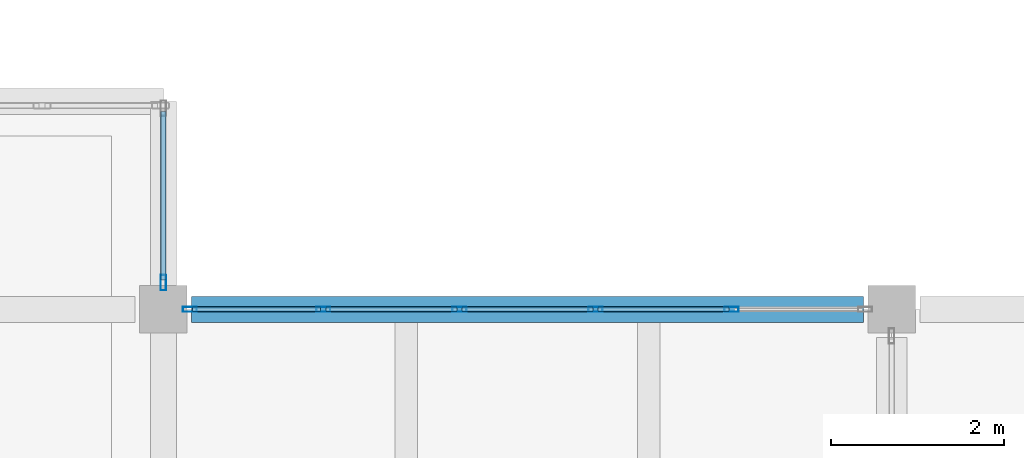
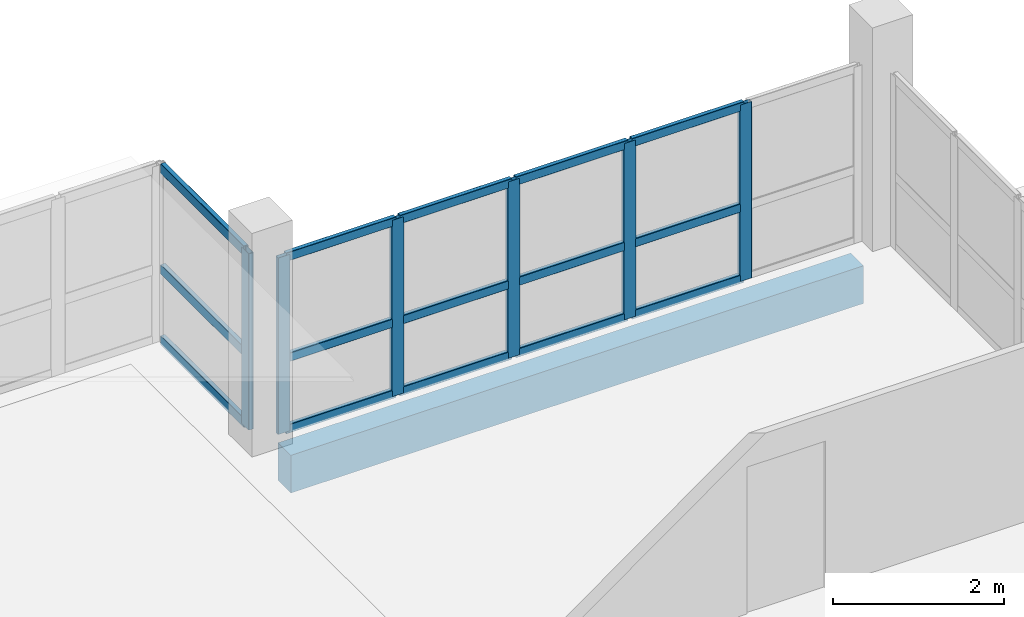
# One storey, part 12 of 24: 21 members, 1 beam, 2 elements without a shape of their own.
"""IFC4 building model written with IfcOpenShell, lengths in metres."""

from ifc_helpers import new_model, si_unit, direction, frame, origin, origin_2d, place, context, subcontext, project, spatial, rectangle, hollow_rectangle, extrude, material, layer, layer_set, material_profile, profile_set, type_object, element, aggregate, save


model = new_model("IFC4")

# Units and contexts
model_context = context("Model", 3, precision=1e-05, world=origin(), true_north=direction((0.0, 1.0)))
body_context = subcontext(model_context, "Body", "Model", "MODEL_VIEW")
ifc_project = project(units=[si_unit("LENGTHUNIT", "METRE"), si_unit("AREAUNIT", "SQUARE_METRE"), si_unit("VOLUMEUNIT", "CUBIC_METRE"), si_unit("PLANEANGLEUNIT", "RADIAN"), si_unit("MASSUNIT", "GRAM", prefix="KILO"), si_unit("THERMODYNAMICTEMPERATUREUNIT", "KELVIN"), si_unit("POWERUNIT", "WATT")], contexts=[model_context])

# Site, building, storey
site_placement = place(None, origin())
site = spatial("IfcSite", under=ifc_project, at=site_placement, CompositionType="ELEMENT")
building_placement = place(site_placement, origin())
building = spatial("IfcBuilding", under=site, at=building_placement, Name="Mavoryth Pier Ferry Terminal", CompositionType="ELEMENT")
storey_placement = place(building_placement, frame((0.0, 0.0, 16.320068359375)))
storey = spatial("IfcBuildingStorey", under=building, at=storey_placement, Name="L04", CompositionType="ELEMENT", Elevation=16.320068359375)

# Curtain wall, members
ifc_material_1 = material(Name="Anodised Aluminium and Solar-Control Low-E Glass", Category="aluminium")
ifc_layer = layer(ifc_material_1, 0.260009765625, Name="Anodised Aluminium and Solar-Control Low-E Glass", Category="aluminium")
ifc_layer_set = layer_set([ifc_layer], Name="Anodised Aluminium and Solar-Control Low-E Glass - CW-VTSBridge-Mod1500")
curtain_wall_type = type_object("IfcCurtainWallType", Name="CW-VTSBridge-Mod1500", PredefinedType="USERDEFINED", material=ifc_layer_set)
curtain_wall_1_placement = place(storey_placement, origin())
curtain_wall_1 = element("IfcCurtainWall", 1, at=curtain_wall_1_placement, inside=storey, type_object=curtain_wall_type, Name="Curtain Wall CW-0422-156", ObjectType="UNITISED CURTAIN WALL", PredefinedType="USERDEFINED")
ifc_material_2 = material(Name="Anodised Aluminium EN AW-6063", Category="aluminium")
ifc_material_profile_1 = material_profile(ifc_material_2, hollow_rectangle(XDim=0.06005859375, YDim=0.1650390625, WallThickness=0.00390625, InnerFilletRadius=0.00390625, OuterFilletRadius=0.008056640625, at=origin_2d()), Name="AL-MULL 165x60x4", Category="aluminium")
ifc_profile_set_1 = profile_set([ifc_material_profile_1], Name="Anodised Aluminium EN AW-6063 - AL-MULL 165x60x4")
member_type_1 = type_object("IfcMemberType", Name="Mullion-Alum-165x60", PredefinedType="MULLION", material=ifc_profile_set_1)
member_1_placement = place(storey_placement, frame((73.7548828125, 22.0, 0.0), z_axis=(0.0, 0.0, 1.0), x_axis=(0.0, -1.0, 0.0)))
member_1 = element("IfcMember", 2, at=member_1_placement, type_object=member_type_1, Name="CW07 mullion 2", PredefinedType="MULLION", context=body_context, shape_type="SweptSolid", body=[
    extrude(hollow_rectangle(XDim=0.06005859375, YDim=0.1650390625, WallThickness=0.00390625, InnerFilletRadius=0.00390625, OuterFilletRadius=0.008056640625, at=origin_2d()), origin(), (0.0, 0.0, 1.0), 2.52490234375),
])
member_2_placement = place(storey_placement, frame((72.18505859375, 22.0, 0.0), z_axis=(0.0, 0.0, 1.0), x_axis=(0.0, -1.0, 0.0)))
member_2 = element("IfcMember", 3, at=member_2_placement, type_object=member_type_1, Name="CW07 mullion 3", PredefinedType="MULLION", context=body_context, shape_type="SweptSolid", body=[
    extrude(hollow_rectangle(XDim=0.06005859375, YDim=0.1650390625, WallThickness=0.00390625, InnerFilletRadius=0.00390625, OuterFilletRadius=0.008056640625, at=origin_2d()), origin(), (0.0, 0.0, 1.0), 2.52490234375),
])
member_3_placement = place(storey_placement, frame((70.614990234375, 22.0, 0.0), z_axis=(0.0, 0.0, 1.0), x_axis=(0.0, -1.0, 0.0)))
member_3 = element("IfcMember", 4, at=member_3_placement, type_object=member_type_1, Name="CW07 mullion 4", PredefinedType="MULLION", context=body_context, shape_type="SweptSolid", body=[
    extrude(hollow_rectangle(XDim=0.06005859375, YDim=0.1650390625, WallThickness=0.00390625, InnerFilletRadius=0.00390625, OuterFilletRadius=0.008056640625, at=origin_2d()), origin(), (0.0, 0.0, 1.0), 2.52490234375),
])
member_4_placement = place(storey_placement, frame((69.044921875, 22.0, 0.0), z_axis=(0.0, 0.0, 1.0), x_axis=(0.0, -1.0, 0.0)))
member_4 = element("IfcMember", 5, at=member_4_placement, type_object=member_type_1, Name="CW07 mullion 5", PredefinedType="MULLION", context=body_context, shape_type="SweptSolid", body=[
    extrude(hollow_rectangle(XDim=0.06005859375, YDim=0.1650390625, WallThickness=0.00390625, InnerFilletRadius=0.00390625, OuterFilletRadius=0.008056640625, at=origin_2d()), origin(), (0.0, 0.0, 1.0), 2.52490234375),
])
member_5_placement = place(storey_placement, frame((67.5048828125, 22.0, 0.0), z_axis=(0.0, 0.0, 1.0), x_axis=(0.0, -1.0, 0.0)))
member_5 = element("IfcMember", 6, at=member_5_placement, type_object=member_type_1, Name="CW07 mullion 6", PredefinedType="MULLION", context=body_context, shape_type="SweptSolid", body=[
    extrude(hollow_rectangle(XDim=0.06005859375, YDim=0.1650390625, WallThickness=0.00390625, InnerFilletRadius=0.00390625, OuterFilletRadius=0.008056640625, at=origin_2d()), origin(), (0.0, 0.0, 1.0), 2.52490234375),
])

# Curtain wall, member
curtain_wall_2_placement = place(storey_placement, origin())
curtain_wall_2 = element("IfcCurtainWall", 7, at=curtain_wall_2_placement, inside=storey, type_object=curtain_wall_type, Name="Curtain Wall CW-0433-158", ObjectType="UNITISED CURTAIN WALL", PredefinedType="USERDEFINED")
ifc_material_profile_2 = material_profile(ifc_material_2, hollow_rectangle(XDim=0.06494140625, YDim=0.179931640625, WallThickness=0.00390625, InnerFilletRadius=0.00390625, OuterFilletRadius=0.008056640625, at=origin_2d()), Name="AL-MULL 180x65x4", Category="aluminium")
ifc_profile_set_2 = profile_set([ifc_material_profile_2], Name="Anodised Aluminium EN AW-6063 - AL-MULL 180x65x4")
member_type_2 = type_object("IfcMemberType", Name="Mullion-Alum-180x65", PredefinedType="MULLION", material=ifc_profile_set_2)
member_6_placement = place(storey_placement, frame((67.199951171875, 22.3076171875, 0.0), z_axis=(0.0, 0.0, 1.0), x_axis=(-1.0, 0.0, 0.0)))
member_6 = element("IfcMember", 8, at=member_6_placement, type_object=member_type_2, Name="CW07 mullion 1", PredefinedType="MULLION", context=body_context, shape_type="SweptSolid", body=[
    extrude(hollow_rectangle(XDim=0.06494140625, YDim=0.179931640625, WallThickness=0.00390625, InnerFilletRadius=0.00390625, OuterFilletRadius=0.008056640625, at=origin_2d()), origin(), (0.0, 0.0, 1.0), 2.52490234375),
])

# Beam
ifc_material_3 = material(Name="Concrete C35/45", Category="concrete")
ifc_material_profile_3 = material_profile(ifc_material_3, rectangle(XDim=0.300048828125, YDim=0.5400390625, at=origin_2d()), Name="RC 300x540", Category="concrete")
ifc_profile_set_3 = profile_set([ifc_material_profile_3], Name="Concrete C35/45 - RC 300x540")
beam_type = type_object("IfcBeamType", Name="Spandrel-RC-300x540", PredefinedType="SPANDREL", material=ifc_profile_set_3)
beam_placement = place(storey_placement, frame((67.52490234375, 22.0, -0.530029296875), z_axis=(1.0, 0.0, 0.0), x_axis=(0.0, 1.0, 0.0)))
element("IfcBeam", 9, at=beam_placement, inside=storey, type_object=beam_type, Name="Beam B04-SP02-1475", PredefinedType="SPANDREL", context=body_context, shape_type="SweptSolid", body=[
    extrude(rectangle(XDim=0.300048828125, YDim=0.5400390625, at=origin_2d()), origin(), (0.0, 0.0, 1.0), 7.75),
])

# Member
ifc_material_profile_4 = material_profile(ifc_material_2, hollow_rectangle(XDim=0.06005859375, YDim=0.125, WallThickness=0.00390625, InnerFilletRadius=0.00390625, OuterFilletRadius=0.008056640625, at=origin_2d()), Name="AL-TRAN 125x60x4", Category="aluminium")
ifc_profile_set_4 = profile_set([ifc_material_profile_4], Name="Anodised Aluminium EN AW-6063 - AL-TRAN 125x60x4")
member_type_3 = type_object("IfcMemberType", Name="Transom-Alum-125x60", PredefinedType="USERDEFINED", material=ifc_profile_set_4)
member_7_placement = place(storey_placement, frame((73.72509765625, 22.0, 0.030029296875), z_axis=(-1.0, 0.0, 0.0), x_axis=(0.0, -1.0, 0.0)))
member_7 = element("IfcMember", 10, at=member_7_placement, type_object=member_type_3, Name="CW07 transom 2.1", ObjectType="TRANSOM", PredefinedType="USERDEFINED", context=body_context, shape_type="SweptSolid", body=[
    extrude(hollow_rectangle(XDim=0.06005859375, YDim=0.125, WallThickness=0.00390625, InnerFilletRadius=0.00390625, OuterFilletRadius=0.008056640625, at=origin_2d()), origin(), (0.0, 0.0, 1.0), 1.510009765625),
])

member_8_placement = place(storey_placement, frame((73.72509765625, 22.0, 1.050048828125), z_axis=(-1.0, 0.0, 0.0), x_axis=(0.0, -1.0, 0.0)))
member_8 = element("IfcMember", 11, at=member_8_placement, type_object=member_type_3, Name="CW07 transom 2.2", ObjectType="TRANSOM", PredefinedType="USERDEFINED", context=body_context, shape_type="SweptSolid", body=[
    extrude(hollow_rectangle(XDim=0.06005859375, YDim=0.125, WallThickness=0.00390625, InnerFilletRadius=0.00390625, OuterFilletRadius=0.008056640625, at=origin_2d()), origin(), (0.0, 0.0, 1.0), 1.510009765625),
])

member_9_placement = place(storey_placement, frame((73.72509765625, 22.0, 2.494873046875), z_axis=(-1.0, 0.0, 0.0), x_axis=(0.0, -1.0, 0.0)))
member_9 = element("IfcMember", 12, at=member_9_placement, type_object=member_type_3, Name="CW07 transom 2.3", ObjectType="TRANSOM", PredefinedType="USERDEFINED", context=body_context, shape_type="SweptSolid", body=[
    extrude(hollow_rectangle(XDim=0.06005859375, YDim=0.125, WallThickness=0.00390625, InnerFilletRadius=0.00390625, OuterFilletRadius=0.008056640625, at=origin_2d()), origin(), (0.0, 0.0, 1.0), 1.510009765625),
])

member_10_placement = place(storey_placement, frame((72.155029296875, 22.0, 0.030029296875), z_axis=(-1.0, 0.0, 0.0), x_axis=(0.0, -1.0, 0.0)))
member_10 = element("IfcMember", 13, at=member_10_placement, type_object=member_type_3, Name="CW07 transom 3.1", ObjectType="TRANSOM", PredefinedType="USERDEFINED", context=body_context, shape_type="SweptSolid", body=[
    extrude(hollow_rectangle(XDim=0.06005859375, YDim=0.125, WallThickness=0.00390625, InnerFilletRadius=0.00390625, OuterFilletRadius=0.008056640625, at=origin_2d()), origin(), (0.0, 0.0, 1.0), 1.510009765625),
])

member_11_placement = place(storey_placement, frame((72.155029296875, 22.0, 1.050048828125), z_axis=(-1.0, 0.0, 0.0), x_axis=(0.0, -1.0, 0.0)))
member_11 = element("IfcMember", 14, at=member_11_placement, type_object=member_type_3, Name="CW07 transom 3.2", ObjectType="TRANSOM", PredefinedType="USERDEFINED", context=body_context, shape_type="SweptSolid", body=[
    extrude(hollow_rectangle(XDim=0.06005859375, YDim=0.125, WallThickness=0.00390625, InnerFilletRadius=0.00390625, OuterFilletRadius=0.008056640625, at=origin_2d()), origin(), (0.0, 0.0, 1.0), 1.510009765625),
])

member_12_placement = place(storey_placement, frame((72.155029296875, 22.0, 2.494873046875), z_axis=(-1.0, 0.0, 0.0), x_axis=(0.0, -1.0, 0.0)))
member_12 = element("IfcMember", 15, at=member_12_placement, type_object=member_type_3, Name="CW07 transom 3.3", ObjectType="TRANSOM", PredefinedType="USERDEFINED", context=body_context, shape_type="SweptSolid", body=[
    extrude(hollow_rectangle(XDim=0.06005859375, YDim=0.125, WallThickness=0.00390625, InnerFilletRadius=0.00390625, OuterFilletRadius=0.008056640625, at=origin_2d()), origin(), (0.0, 0.0, 1.0), 1.510009765625),
])

member_13_placement = place(storey_placement, frame((70.5849609375, 22.0, 0.030029296875), z_axis=(-1.0, 0.0, 0.0), x_axis=(0.0, -1.0, 0.0)))
member_13 = element("IfcMember", 16, at=member_13_placement, type_object=member_type_3, Name="CW07 transom 4.1", ObjectType="TRANSOM", PredefinedType="USERDEFINED", context=body_context, shape_type="SweptSolid", body=[
    extrude(hollow_rectangle(XDim=0.06005859375, YDim=0.125, WallThickness=0.00390625, InnerFilletRadius=0.00390625, OuterFilletRadius=0.008056640625, at=origin_2d()), origin(), (0.0, 0.0, 1.0), 1.510009765625),
])

member_14_placement = place(storey_placement, frame((70.5849609375, 22.0, 1.050048828125), z_axis=(-1.0, 0.0, 0.0), x_axis=(0.0, -1.0, 0.0)))
member_14 = element("IfcMember", 17, at=member_14_placement, type_object=member_type_3, Name="CW07 transom 4.2", ObjectType="TRANSOM", PredefinedType="USERDEFINED", context=body_context, shape_type="SweptSolid", body=[
    extrude(hollow_rectangle(XDim=0.06005859375, YDim=0.125, WallThickness=0.00390625, InnerFilletRadius=0.00390625, OuterFilletRadius=0.008056640625, at=origin_2d()), origin(), (0.0, 0.0, 1.0), 1.510009765625),
])

member_15_placement = place(storey_placement, frame((70.5849609375, 22.0, 2.494873046875), z_axis=(-1.0, 0.0, 0.0), x_axis=(0.0, -1.0, 0.0)))
member_15 = element("IfcMember", 18, at=member_15_placement, type_object=member_type_3, Name="CW07 transom 4.3", ObjectType="TRANSOM", PredefinedType="USERDEFINED", context=body_context, shape_type="SweptSolid", body=[
    extrude(hollow_rectangle(XDim=0.06005859375, YDim=0.125, WallThickness=0.00390625, InnerFilletRadius=0.00390625, OuterFilletRadius=0.008056640625, at=origin_2d()), origin(), (0.0, 0.0, 1.0), 1.510009765625),
])

member_16_placement = place(storey_placement, frame((69.014892578125, 22.0, 0.030029296875), z_axis=(-1.0, 0.0, 0.0), x_axis=(0.0, -1.0, 0.0)))
member_16 = element("IfcMember", 19, at=member_16_placement, type_object=member_type_3, Name="CW07 transom 5.1", ObjectType="TRANSOM", PredefinedType="USERDEFINED", context=body_context, shape_type="SweptSolid", body=[
    extrude(hollow_rectangle(XDim=0.06005859375, YDim=0.125, WallThickness=0.00390625, InnerFilletRadius=0.00390625, OuterFilletRadius=0.008056640625, at=origin_2d()), origin(), (0.0, 0.0, 1.0), 1.47998046875),
])

member_17_placement = place(storey_placement, frame((69.014892578125, 22.0, 1.050048828125), z_axis=(-1.0, 0.0, 0.0), x_axis=(0.0, -1.0, 0.0)))
member_17 = element("IfcMember", 20, at=member_17_placement, type_object=member_type_3, Name="CW07 transom 5.2", ObjectType="TRANSOM", PredefinedType="USERDEFINED", context=body_context, shape_type="SweptSolid", body=[
    extrude(hollow_rectangle(XDim=0.06005859375, YDim=0.125, WallThickness=0.00390625, InnerFilletRadius=0.00390625, OuterFilletRadius=0.008056640625, at=origin_2d()), origin(), (0.0, 0.0, 1.0), 1.47998046875),
])

member_18_placement = place(storey_placement, frame((69.014892578125, 22.0, 2.494873046875), z_axis=(-1.0, 0.0, 0.0), x_axis=(0.0, -1.0, 0.0)))
member_18 = element("IfcMember", 21, at=member_18_placement, type_object=member_type_3, Name="CW07 transom 5.3", ObjectType="TRANSOM", PredefinedType="USERDEFINED", context=body_context, shape_type="SweptSolid", body=[
    extrude(hollow_rectangle(XDim=0.06005859375, YDim=0.125, WallThickness=0.00390625, InnerFilletRadius=0.00390625, OuterFilletRadius=0.008056640625, at=origin_2d()), origin(), (0.0, 0.0, 1.0), 1.47998046875),
])

aggregate(curtain_wall_1, [member_1, member_2, member_3, member_4, member_5, member_7, member_8, member_9, member_10, member_11, member_12, member_13, member_14, member_15, member_16, member_17, member_18])

ifc_material_profile_5 = material_profile(ifc_material_2, hollow_rectangle(XDim=0.06494140625, YDim=0.139892578125, WallThickness=0.00390625, InnerFilletRadius=0.00390625, OuterFilletRadius=0.008056640625, at=origin_2d()), Name="AL-TRAN 140x65x4", Category="aluminium")
ifc_profile_set_5 = profile_set([ifc_material_profile_5], Name="Anodised Aluminium EN AW-6063 - AL-TRAN 140x65x4")
member_type_4 = type_object("IfcMemberType", Name="Transom-Alum-140x65", PredefinedType="USERDEFINED", material=ifc_profile_set_5)
member_19_placement = place(storey_placement, frame((67.199951171875, 22.340087890625, 0.032470703125), z_axis=(0.0, 1.0, 0.0), x_axis=(-1.0, 0.0, 0.0)))
member_19 = element("IfcMember", 22, at=member_19_placement, type_object=member_type_4, Name="CW07 transom 1.1", ObjectType="TRANSOM", PredefinedType="USERDEFINED", context=body_context, shape_type="SweptSolid", body=[
    extrude(hollow_rectangle(XDim=0.06494140625, YDim=0.139892578125, WallThickness=0.00390625, InnerFilletRadius=0.00390625, OuterFilletRadius=0.008056640625, at=origin_2d()), origin(), (0.0, 0.0, 1.0), 1.94482421875),
])

member_20_placement = place(storey_placement, frame((67.199951171875, 22.340087890625, 1.050048828125), z_axis=(0.0, 1.0, 0.0), x_axis=(-1.0, 0.0, 0.0)))
member_20 = element("IfcMember", 23, at=member_20_placement, type_object=member_type_4, Name="CW07 transom 1.2", ObjectType="TRANSOM", PredefinedType="USERDEFINED", context=body_context, shape_type="SweptSolid", body=[
    extrude(hollow_rectangle(XDim=0.06494140625, YDim=0.139892578125, WallThickness=0.00390625, InnerFilletRadius=0.00390625, OuterFilletRadius=0.008056640625, at=origin_2d()), origin(), (0.0, 0.0, 1.0), 1.94482421875),
])

member_21_placement = place(storey_placement, frame((67.199951171875, 22.340087890625, 2.492431640625), z_axis=(0.0, 1.0, 0.0), x_axis=(-1.0, 0.0, 0.0)))
member_21 = element("IfcMember", 24, at=member_21_placement, type_object=member_type_4, Name="CW07 transom 1.3", ObjectType="TRANSOM", PredefinedType="USERDEFINED", context=body_context, shape_type="SweptSolid", body=[
    extrude(hollow_rectangle(XDim=0.06494140625, YDim=0.139892578125, WallThickness=0.00390625, InnerFilletRadius=0.00390625, OuterFilletRadius=0.008056640625, at=origin_2d()), origin(), (0.0, 0.0, 1.0), 1.94482421875),
])

aggregate(curtain_wall_2, [member_6, member_19, member_20, member_21])

save(model, "model.ifc")
